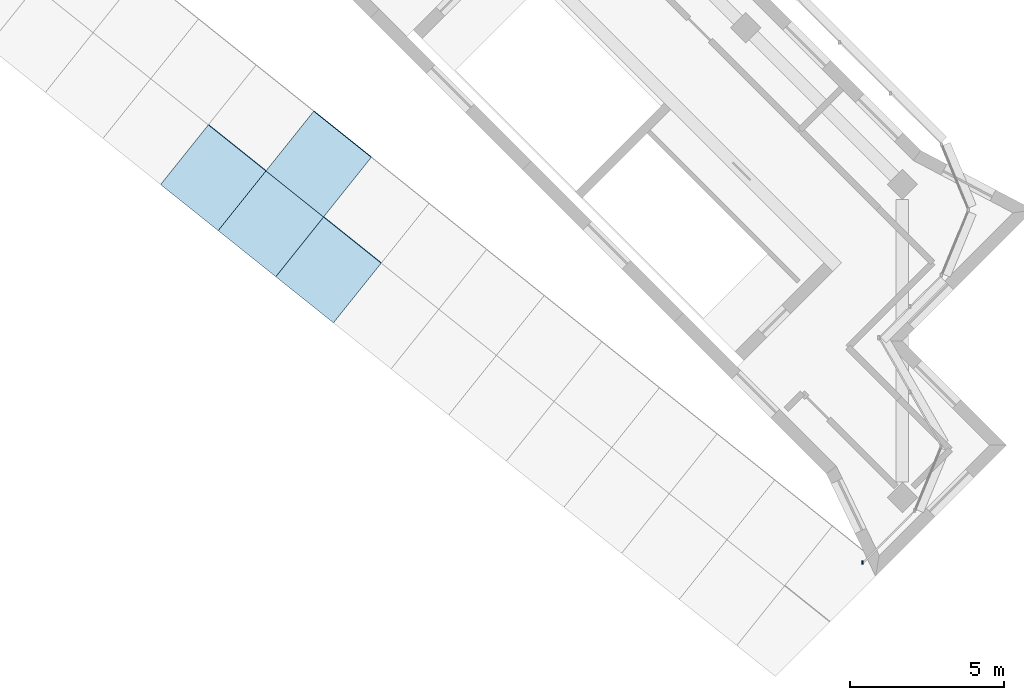
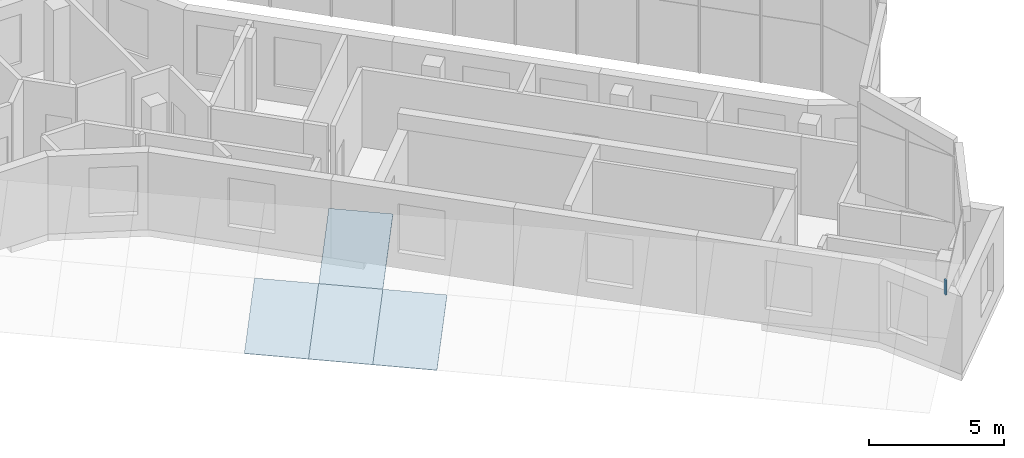
# One storey, part 5 of 9: 4 plates, 1 member, 1 element without a shape of its own.
"""IFC4 building model written with IfcOpenShell, lengths in metres."""

from ifc_helpers import new_model, si_unit, direction, frame, origin, origin_2d, place, context, subcontext, project, spatial, polyline, rectangle, outline, extrude, material, layer, layer_set, material_profile, profile_set, type_object, element, aggregate, save


model = new_model("IFC4")

# Units and contexts
model_context = context("Model", 3, precision=1e-05, world=origin(), true_north=direction((0.0, 1.0)))
body_context = subcontext(model_context, "Body", "Model", "MODEL_VIEW")
ifc_project = project(units=[si_unit("LENGTHUNIT", "METRE"), si_unit("AREAUNIT", "SQUARE_METRE"), si_unit("VOLUMEUNIT", "CUBIC_METRE"), si_unit("PLANEANGLEUNIT", "RADIAN"), si_unit("MASSUNIT", "GRAM", prefix="KILO")], contexts=[model_context])

# Site, building, storey
site_placement = place(None, origin())
site = spatial("IfcSite", under=ifc_project, at=site_placement, CompositionType="ELEMENT")
building_placement = place(site_placement, origin())
building = spatial("IfcBuilding", under=site, at=building_placement, Name="Windrow Commons", CompositionType="ELEMENT")
storey_placement = place(building_placement, frame((0.0, 0.0, 309.6)))
storey = spatial("IfcBuildingStorey", under=building, at=storey_placement, Name="L84", CompositionType="ELEMENT", Elevation=309.6)

# Curtain wall, member
ifc_material_1 = material(Name="Laminated glass in anodised aluminium frame", Category="aluminium")
curtain_wall_type = type_object("IfcCurtainWallType", Name="Curtain wall crown terrace screen", PredefinedType="USERDEFINED", material=ifc_material_1)
curtain_wall_placement = place(storey_placement, origin())
curtain_wall = element("IfcCurtainWall", 1, at=curtain_wall_placement, inside=storey, type_object=curtain_wall_type, Name="Glazed crown screen L84", ObjectType="STICK", PredefinedType="USERDEFINED")
ifc_material_2 = material(Name="Anodised aluminium", Category="aluminium")
ifc_material_profile = material_profile(ifc_material_2, rectangle(XDim=0.06, YDim=0.12, at=origin_2d()))
ifc_profile_set = profile_set([ifc_material_profile], Name="Anodised aluminium")
member_type = type_object("IfcMemberType", Name="Crown screen mullion 60x120", PredefinedType="MULLION", material=ifc_profile_set)
member_placement = place(storey_placement, frame((98.2679, 39.3359, 3.5), z_axis=(0.0, 0.0, 1.0), x_axis=(1.0, 0.0, 0.0)))
member = element("IfcMember", 2, at=member_placement, type_object=member_type, Name="Crown screen mullion L84", PredefinedType="MULLION", context=body_context, shape_type="SweptSolid", body=[
    extrude(rectangle(XDim=0.06, YDim=0.12, at=origin_2d()), origin(), (0.0, 0.0, 1.0), 0.6696),
])
aggregate(curtain_wall, [member])

# Plates
ifc_material_3 = material(Name="Laminated glass in aluminium frame", Category="aluminium")
ifc_layer = layer(ifc_material_3, 0.04)
ifc_layer_set = layer_set([ifc_layer], Name="Crown glazing panel 2400x3000")
plate_type = type_object("IfcPlateType", Name="Crown glazing panel 2400x3000", PredefinedType="SHEET", material=ifc_layer_set)
for number, where, z_axis, x_axis, name in (
    (3, (81.0597, 47.1298, 1.3736), (-0.349330801, -0.4366576763, 0.8290344174), (-0.7808647444, 0.6247001288, 0.0), "Crown glazing 188"),
    (4, (79.1856, 48.6291, 1.3736), (-0.349330801, -0.4366576763, 0.8290344174), (-0.7808647444, 0.6247001288, 0.0), "Crown glazing 189"),
):
    element("IfcPlate", number, at=place(storey_placement, frame(where, z_axis=z_axis, x_axis=x_axis)), inside=storey, type_object=plate_type, Name=name, PredefinedType="SHEET", context=body_context, shape_type="SweptSolid", body=[
        extrude(outline(polyline([(0.0, 0.0), (2.4, 0.0), (2.4, -3.0), (0.0, -3.0), (0.0, 0.0)])), origin(), (0.0, 0.0, -1.0), 0.04),
    ])
plate_1_placement = place(storey_placement, frame((77.3115, 50.1284, 1.3736), z_axis=(-0.3493165936, -0.4366690422, 0.8290344173), x_axis=(-0.7808850696, 0.6246747219, 0.0)))
element("IfcPlate", 5, at=plate_1_placement, inside=storey, type_object=plate_type, Name="Crown glazing 190", PredefinedType="SHEET", context=body_context, shape_type="SweptSolid", body=[
    extrude(outline(polyline([(0.0, 0.0), (2.4, 0.0), (2.3999, -3.0), (-0.0001, -3.0), (0.0, 0.0)])), origin(), (0.0, 0.0, -1.0), 0.04),
])
plate_2_placement = place(storey_placement, frame((80.7393, 50.5712, 3.0512), z_axis=(-0.3493164888, -0.4366397863, 0.8290498704), x_axis=(-0.7808647444, 0.6247001288, 0.0)))
element("IfcPlate", 6, at=plate_2_placement, inside=storey, type_object=plate_type, Name="Crown glazing 214", PredefinedType="SHEET", context=body_context, shape_type="SweptSolid", body=[
    extrude(outline(polyline([(0.0, 0.0), (2.4, 0.0), (2.4, -3.0), (0.0, -3.0), (0.0, 0.0)])), origin(), (0.0, 0.0, -1.0), 0.04),
])

save(model, "model.ifc")
